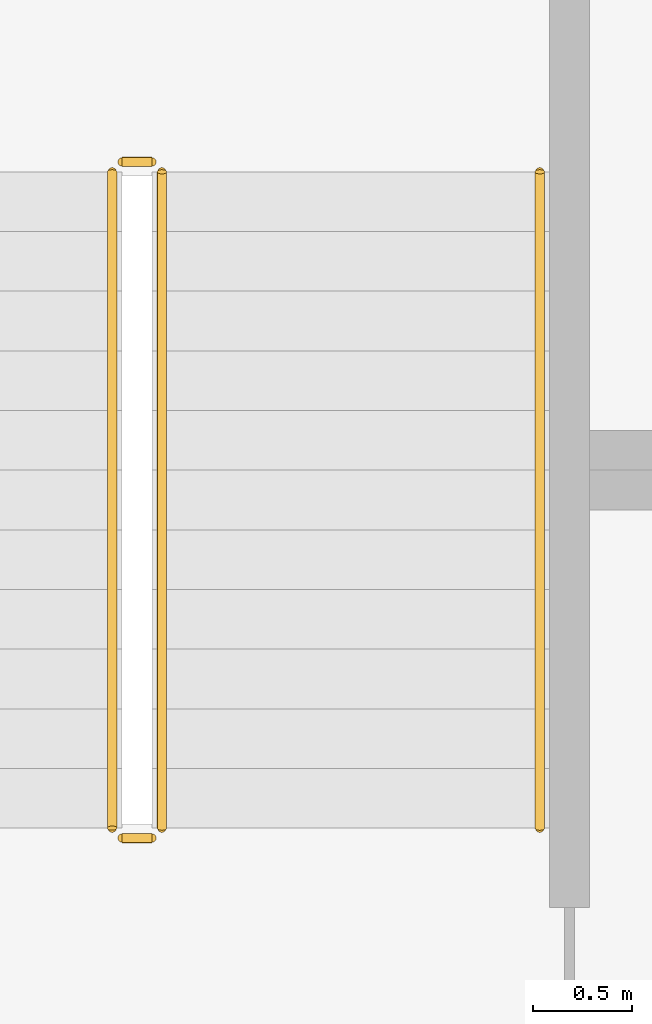
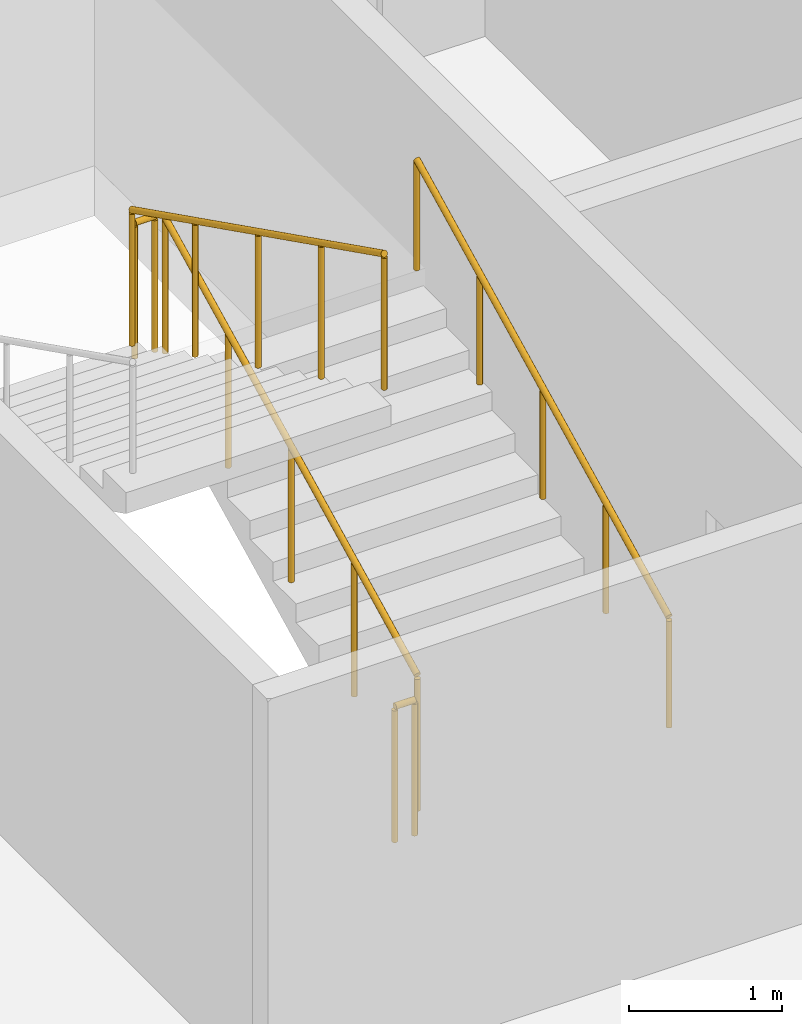
# One storey, part 30 of 37: 5 railings.
"""IFC4 building model written with IfcOpenShell, lengths in metres."""

from ifc_helpers import new_model, si_unit, direction, frame, origin, origin_2d, place, context, subcontext, project, spatial, circle, extrude, material, type_object, element, save


model = new_model("IFC4")

# Units and contexts
model_context = context("Model", 3, precision=1e-05, world=origin(), true_north=direction((0.0, 1.0)))
body_context = subcontext(model_context, "Body", "Model", "MODEL_VIEW")
ifc_project = project(units=[si_unit("LENGTHUNIT", "METRE"), si_unit("AREAUNIT", "SQUARE_METRE"), si_unit("VOLUMEUNIT", "CUBIC_METRE"), si_unit("PLANEANGLEUNIT", "RADIAN"), si_unit("MASSUNIT", "GRAM", prefix="KILO")], contexts=[model_context])

# Site, building, storey
site_placement = place(None, origin())
site = spatial("IfcSite", under=ifc_project, at=site_placement, CompositionType="ELEMENT")
building_placement = place(site_placement, origin())
building = spatial("IfcBuilding", under=site, at=building_placement, Name="Tamra Quay Hotel Tower", CompositionType="ELEMENT")
storey_placement = place(building_placement, frame((0.0, 0.0, -7.199951171875)))
storey = spatial("IfcBuildingStorey", under=building, at=storey_placement, Name="B2", CompositionType="ELEMENT", Elevation=-7.199951171875)

# Railings
ifc_material_1 = material(Name="Basement stair guard 1100")
railing_type_1 = type_object("IfcRailingType", Name="Basement stair guard 1100", PredefinedType="GUARDRAIL", material=ifc_material_1)
railing_1_placement = place(storey_placement, frame((22.949951171875, -66.800048828125, 0.14990234375)))
element("IfcRailing", 1, at=railing_1_placement, inside=storey, type_object=railing_type_1, Name="BSG", PredefinedType="GUARDRAIL", context=body_context, shape_type="SweptSolid", body=[
    extrude(circle(Radius=0.02392578125, at=origin_2d()), frame((0.0, 0.0, 1.076171875), z_axis=(0.0, 0.894413956696, 0.447240063129), x_axis=(-1.0, 0.0, 0.0)), (0.0, 0.0, 1.0), 3.689697265625),
    extrude(circle(Radius=0.02099609375, at=origin_2d()), origin(), (0.0, 0.0, 1.0), 1.052001953125),
    extrude(circle(Radius=0.02099609375, at=origin_2d()), frame((0.0, 0.824951171875, 0.41259765625)), (0.0, 0.0, 1.0), 1.052001953125),
    extrude(circle(Radius=0.02099609375, at=origin_2d()), frame((0.0, 1.64990234375, 0.8251953125)), (0.0, 0.0, 1.0), 1.052001953125),
    extrude(circle(Radius=0.02099609375, at=origin_2d()), frame((0.0, 2.47509765625, 1.237548828125)), (0.0, 0.0, 1.0), 1.052001953125),
    extrude(circle(Radius=0.02099609375, at=origin_2d()), frame((0.0, 3.300048828125, 1.650146484375)), (0.0, 0.0, 1.0), 1.052001953125),
])
railing_2_placement = place(storey_placement, frame((22.89990234375, -63.449951171875, 1.800048828125)))
element("IfcRailing", 2, at=railing_2_placement, inside=storey, type_object=railing_type_1, Name="BSG", PredefinedType="GUARDRAIL", context=body_context, shape_type="SweptSolid", body=[
    extrude(circle(Radius=0.02392578125, at=origin_2d()), frame((0.0, 0.0, 1.076171875), z_axis=(-1.0, 0.0, 0.0), x_axis=(0.0, -1.0, 0.0)), (0.0, 0.0, 1.0), 0.14990234375),
    extrude(circle(Radius=0.02099609375, at=origin_2d()), origin(), (0.0, 0.0, 1.0), 1.052001953125),
    extrude(circle(Radius=0.02099609375, at=origin_2d()), frame((-0.14990234375, 0.0, 0.0)), (0.0, 0.0, 1.0), 1.052001953125),
])
railing_3_placement = place(storey_placement, frame((22.699951171875, -63.5, 1.949951171875)))
element("IfcRailing", 3, at=railing_3_placement, inside=storey, type_object=railing_type_1, Name="BSG", PredefinedType="GUARDRAIL", context=body_context, shape_type="SweptSolid", body=[
    extrude(circle(Radius=0.02392578125, at=origin_2d()), frame((0.0, 0.0, 1.076171875), z_axis=(0.0, -0.894440424912, 0.447187126696), x_axis=(1.0, 0.0, 0.0)), (0.0, 0.0, 1.0), 3.689453125),
    extrude(circle(Radius=0.02099609375, at=origin_2d()), origin(), (0.0, 0.0, 1.0), 1.052001953125),
    extrude(circle(Radius=0.02099609375, at=origin_2d()), frame((0.0, -0.824951171875, 0.41259765625)), (0.0, 0.0, 1.0), 1.052001953125),
    extrude(circle(Radius=0.02099609375, at=origin_2d()), frame((0.0, -1.64990234375, 0.824951171875)), (0.0, 0.0, 1.0), 1.052001953125),
    extrude(circle(Radius=0.02099609375, at=origin_2d()), frame((0.0, -2.47509765625, 1.2373046875)), (0.0, 0.0, 1.0), 1.052001953125),
    extrude(circle(Radius=0.02099609375, at=origin_2d()), frame((0.0, -3.300048828125, 1.64990234375)), (0.0, 0.0, 1.0), 1.052001953125),
])
railing_4_placement = place(storey_placement, frame((22.89990234375, -66.85009765625, 0.0)))
element("IfcRailing", 4, at=railing_4_placement, inside=storey, type_object=railing_type_1, Name="BSG", PredefinedType="GUARDRAIL", context=body_context, shape_type="SweptSolid", body=[
    extrude(circle(Radius=0.02392578125, at=origin_2d()), frame((0.0, 0.0, 1.076171875), z_axis=(-1.0, 0.0, 0.0), x_axis=(0.0, -1.0, 0.0)), (0.0, 0.0, 1.0), 0.14990234375),
    extrude(circle(Radius=0.02099609375, at=origin_2d()), origin(), (0.0, 0.0, 1.0), 1.052001953125),
    extrude(circle(Radius=0.02099609375, at=origin_2d()), frame((-0.14990234375, 0.0, 0.0)), (0.0, 0.0, 1.0), 1.052001953125),
])
ifc_material_2 = material(Name="Basement stair handrail 900")
railing_type_2 = type_object("IfcRailingType", Name="Basement stair handrail 900", PredefinedType="HANDRAIL", material=ifc_material_2)
railing_5_placement = place(storey_placement, frame((24.85009765625, -66.800048828125, 0.14990234375)))
element("IfcRailing", 5, at=railing_5_placement, inside=storey, type_object=railing_type_2, Name="BSH", PredefinedType="HANDRAIL", context=body_context, shape_type="SweptSolid", body=[
    extrude(circle(Radius=0.02392578125, at=origin_2d()), frame((0.0, 0.0, 0.8759765625), z_axis=(0.0, 0.894413956696, 0.447240063129), x_axis=(-1.0, 0.0, 0.0)), (0.0, 0.0, 1.0), 3.689697265625),
    extrude(circle(Radius=0.02099609375, at=origin_2d()), origin(), (0.0, 0.0, 1.0), 0.851806640625),
    extrude(circle(Radius=0.02099609375, at=origin_2d()), frame((0.0, 0.824951171875, 0.41259765625)), (0.0, 0.0, 1.0), 0.851806640625),
    extrude(circle(Radius=0.02099609375, at=origin_2d()), frame((0.0, 1.64990234375, 0.8251953125)), (0.0, 0.0, 1.0), 0.851806640625),
    extrude(circle(Radius=0.02099609375, at=origin_2d()), frame((0.0, 2.47509765625, 1.237548828125)), (0.0, 0.0, 1.0), 0.851806640625),
    extrude(circle(Radius=0.02099609375, at=origin_2d()), frame((0.0, 3.300048828125, 1.650146484375)), (0.0, 0.0, 1.0), 0.851806640625),
])

save(model, "model.ifc")
